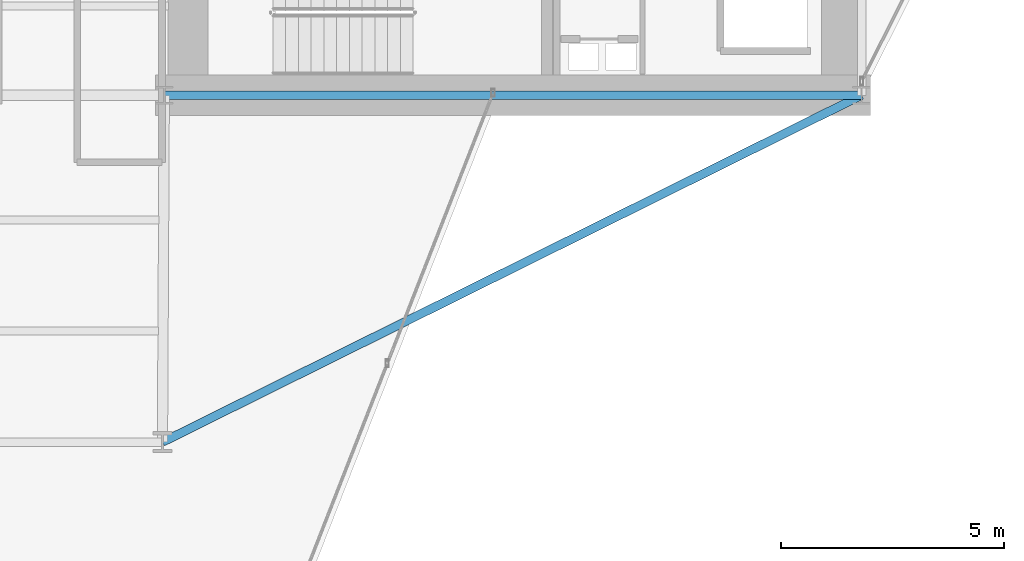
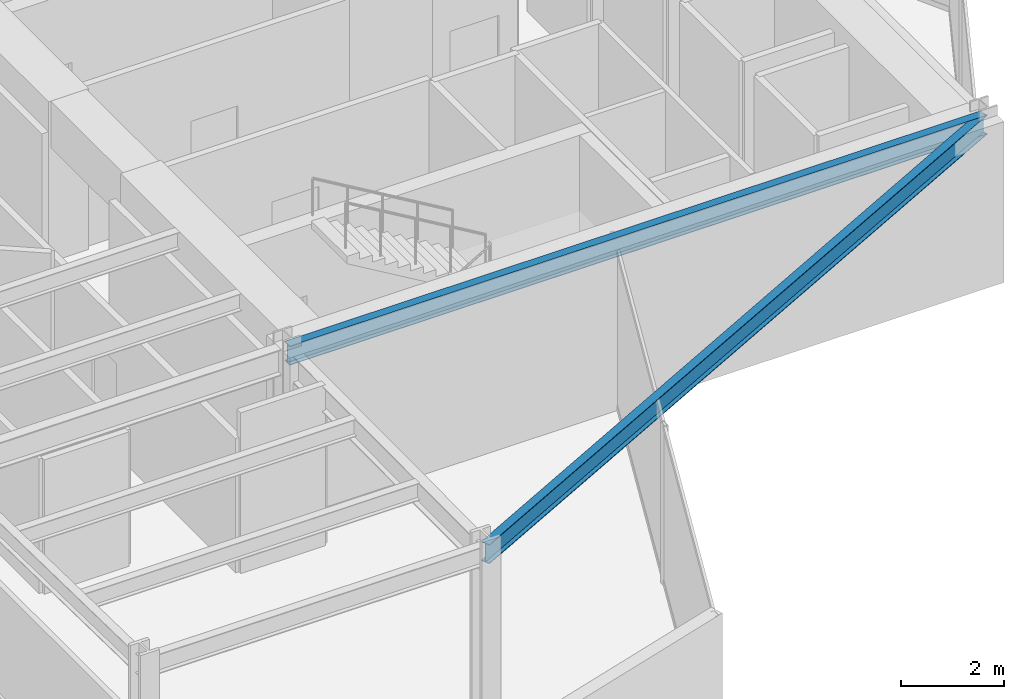
# One storey, part 15 of 30: 2 beams.
"""IFC4 building model written with IfcOpenShell, lengths in metres."""

from ifc_helpers import new_model, si_unit, direction, frame, origin, origin_2d, place, context, subcontext, project, spatial, i_section, extrude, material, material_profile, profile_set, type_object, element, save


model = new_model("IFC4")

# Units and contexts
model_context = context("Model", 3, precision=1e-05, world=origin(), true_north=direction((0.0, 1.0)))
body_context = subcontext(model_context, "Body", "Model", "MODEL_VIEW")
ifc_project = project(units=[si_unit("LENGTHUNIT", "METRE"), si_unit("AREAUNIT", "SQUARE_METRE"), si_unit("VOLUMEUNIT", "CUBIC_METRE"), si_unit("PLANEANGLEUNIT", "RADIAN"), si_unit("MASSUNIT", "GRAM", prefix="KILO")], contexts=[model_context])

# Site, building, storey
site_placement = place(None, origin())
site = spatial("IfcSite", under=ifc_project, at=site_placement, CompositionType="ELEMENT")
building_placement = place(site_placement, origin())
building = spatial("IfcBuilding", under=site, at=building_placement, Name="Veymaron Broadcast Tower", CompositionType="ELEMENT")
storey_placement = place(building_placement, frame((0.0, 0.0, 49.949951171875)))
storey = spatial("IfcBuildingStorey", under=building, at=storey_placement, Name="L10", CompositionType="ELEMENT", Elevation=49.949951171875)

# Beams
ifc_material = material(Name="Structural steel ASTM A992 Gr 50", Category="steel")
ifc_material_profile = material_profile(ifc_material, i_section(OverallWidth=0.19091796875, OverallDepth=0.4599609375, WebThickness=0.010009765625, FlangeThickness=0.01611328125, at=origin_2d()), Name="W460X82")
ifc_profile_set = profile_set([ifc_material_profile], Name="Structural steel ASTM A992 Gr 50")
beam_type = type_object("IfcBeamType", Name="BM-SP1", PredefinedType="SPANDREL", material=ifc_profile_set)
beam_1_placement = place(storey_placement, frame((39.0, 16.0, 3.580078125), z_axis=(1.0, 0.0, 0.0), x_axis=(0.0, 1.0, 0.0)))
element("IfcBeam", 1, at=beam_1_placement, inside=storey, type_object=beam_type, Name="L10 primary structural floor girder", PredefinedType="SPANDREL", context=body_context, shape_type="SweptSolid", body=[
    extrude(i_section(OverallWidth=0.19091796875, OverallDepth=0.4599609375, WebThickness=0.010009765625, FlangeThickness=0.01611328125, at=origin_2d()), origin(), (0.0, 0.0, 1.0), 15.60009765625),
])
beam_2_placement = place(storey_placement, frame((54.60009765625, 16.0, 3.580078125), z_axis=(-0.895798915405, -0.444459563019, 0.0), x_axis=(0.444459563019, -0.895798915405, 0.0)))
element("IfcBeam", 2, at=beam_2_placement, inside=storey, type_object=beam_type, Name="L10 primary structural floor girder", PredefinedType="SPANDREL", context=body_context, shape_type="SweptSolid", body=[
    extrude(i_section(OverallWidth=0.19091796875, OverallDepth=0.4599609375, WebThickness=0.010009765625, FlangeThickness=0.01611328125, at=origin_2d()), origin(), (0.0, 0.0, 1.0), 17.45947265625),
])

save(model, "model.ifc")
